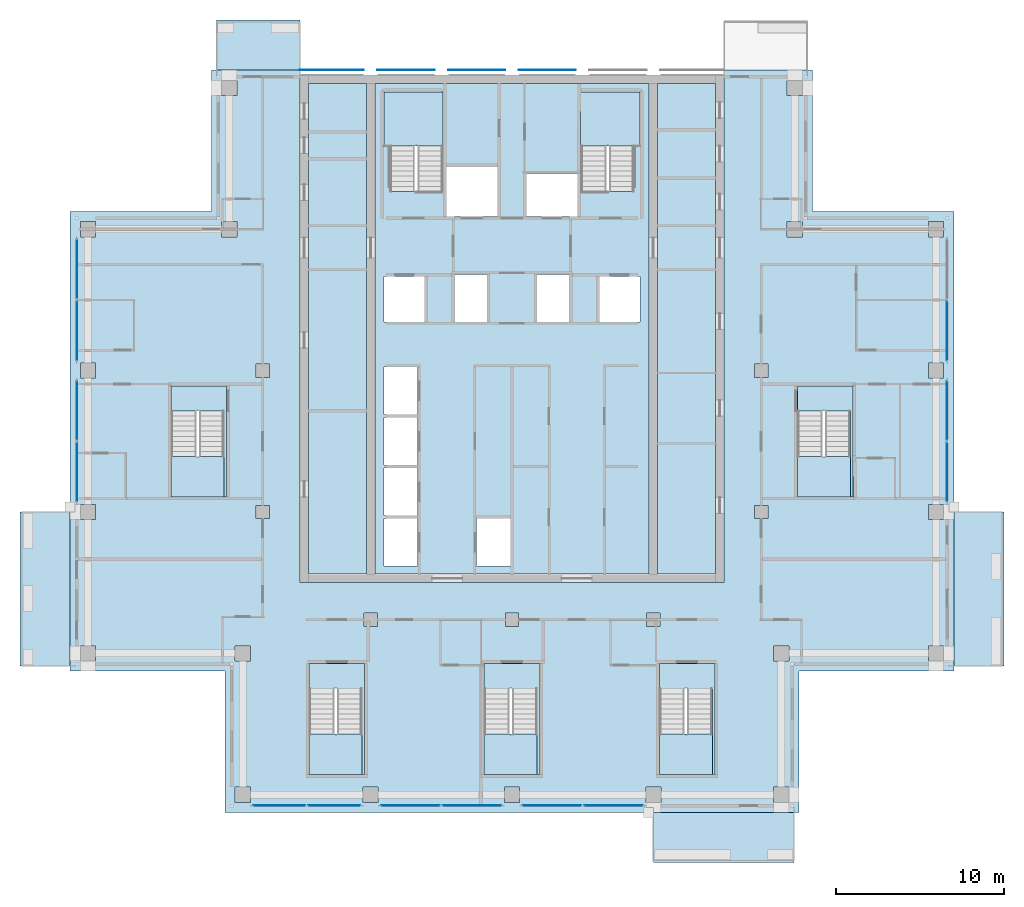
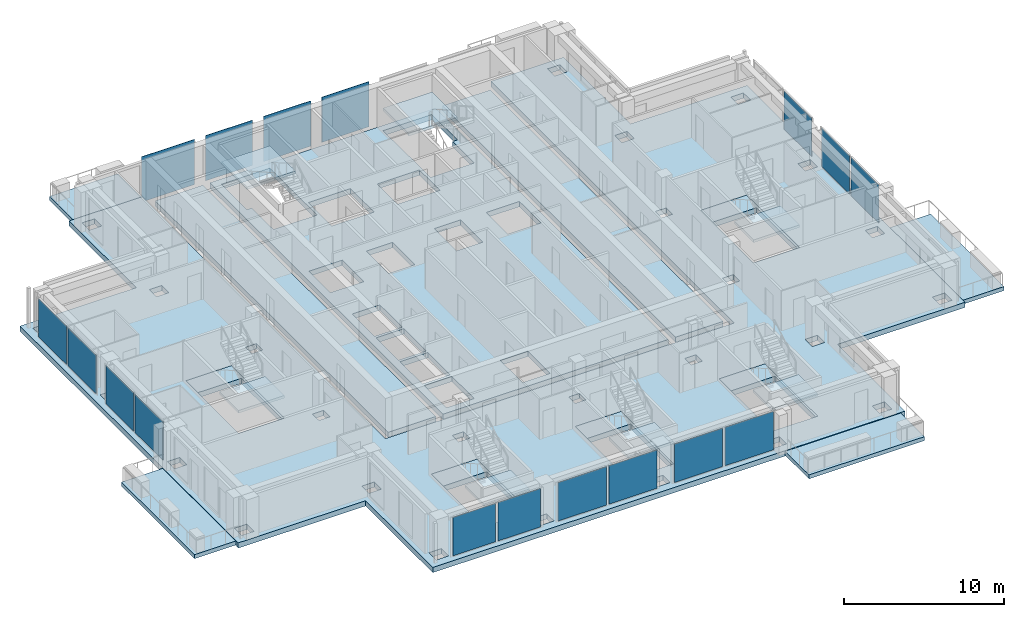
# One storey, part 8 of 19: 20 slabs, 17 plates, 14 elements without a shape of their own.
"""IFC4 building model written with IfcOpenShell, lengths in metres."""

from ifc_helpers import new_model, si_unit, direction, frame, origin, origin_2d, place, context, subcontext, project, spatial, polyline, rectangle, outline, extrude, material, layer, layer_set, type_object, element, aggregate, save


model = new_model("IFC4")

# Units and contexts
model_context = context("Model", 3, precision=1e-05, world=origin(), true_north=direction((0.0, 1.0)))
body_context = subcontext(model_context, "Body", "Model", "MODEL_VIEW")
ifc_project = project(units=[si_unit("LENGTHUNIT", "METRE"), si_unit("AREAUNIT", "SQUARE_METRE"), si_unit("VOLUMEUNIT", "CUBIC_METRE"), si_unit("PLANEANGLEUNIT", "RADIAN"), si_unit("MASSUNIT", "GRAM", prefix="KILO")], contexts=[model_context])

# Site, building, storey
site_placement = place(None, origin())
site = spatial("IfcSite", under=ifc_project, at=site_placement, CompositionType="ELEMENT")
building_placement = place(site_placement, origin())
building = spatial("IfcBuilding", under=site, at=building_placement, Name="Vermilion Ogive Tower", CompositionType="ELEMENT")
storey_placement = place(building_placement, frame((0.0, 0.0, 226.89990234375)))
storey = spatial("IfcBuildingStorey", under=building, at=storey_placement, Name="L59", CompositionType="ELEMENT", Elevation=226.89990234375)

# Slabs
ifc_material_1 = material(Name="Concrete B40", Category="concrete")
ifc_layer_1 = layer(ifc_material_1, 0.300048828125)
ifc_layer_set_1 = layer_set([ifc_layer_1], Name="Balcony slab")
slab_type_1 = type_object("IfcSlabType", Name="Balcony slab", PredefinedType="FLOOR", material=ifc_layer_set_1)
slab_1_placement = place(storey_placement, frame((0.0, 0.0, -0.33984375)))
element("IfcSlab", 1, at=slab_1_placement, inside=storey, type_object=slab_type_1, Name="Balcony slab S04", PredefinedType="FLOOR", context=body_context, shape_type="SweptSolid", body=[
    extrude(outline(polyline([(8.39990234375, -25.030029296875), (16.75, -25.030029296875), (16.75, -22.050048828125), (8.39990234375, -22.050048828125), (8.39990234375, -25.030029296875)])), origin(), (0.0, 0.0, 1.0), 0.300048828125),
])
slab_2_placement = place(storey_placement, frame((0.0, 0.0, -0.33984375)))
element("IfcSlab", 2, at=slab_2_placement, inside=storey, type_object=slab_type_1, Name="Balcony slab E01", PredefinedType="FLOOR", context=body_context, shape_type="SweptSolid", body=[
    extrude(outline(polyline([(29.22998046875, -13.35009765625), (29.22998046875, -4.199951171875), (26.25, -4.199951171875), (26.25, -13.35009765625), (29.22998046875, -13.35009765625)])), origin(), (0.0, 0.0, 1.0), 0.300048828125),
])
slab_3_placement = place(storey_placement, frame((0.0, 0.0, -0.33984375)))
element("IfcSlab", 3, at=slab_3_placement, inside=storey, type_object=slab_type_1, Name="Balcony slab N201", PredefinedType="FLOOR", context=body_context, shape_type="SweptSolid", body=[
    extrude(outline(polyline([(-12.60009765625, 25.030029296875), (-17.550048828125, 25.030029296875), (-17.550048828125, 22.050048828125), (-12.60009765625, 22.050048828125), (-12.60009765625, 25.030029296875)])), origin(), (0.0, 0.0, 1.0), 0.300048828125),
])
slab_4_placement = place(storey_placement, frame((0.0, 0.0, -0.33984375)))
element("IfcSlab", 4, at=slab_4_placement, inside=storey, type_object=slab_type_1, Name="Balcony slab W03", PredefinedType="FLOOR", context=body_context, shape_type="SweptSolid", body=[
    extrude(outline(polyline([(-29.22998046875, -4.199951171875), (-29.22998046875, -13.35009765625), (-26.25, -13.35009765625), (-26.25, -4.199951171875), (-29.22998046875, -4.199951171875)])), origin(), (0.0, 0.0, 1.0), 0.300048828125),
])

# Curtain wall, plates
ifc_material_2 = material(Name="Low-iron laminated glazing in aluminium frame", Category="aluminium")
curtain_wall_type = type_object("IfcCurtainWallType", Name="Curtain wall CW7", PredefinedType="NOTDEFINED", material=ifc_material_2)
curtain_wall_1_placement = place(storey_placement, origin())
curtain_wall_1 = element("IfcCurtainWall", 5, at=curtain_wall_1_placement, inside=storey, type_object=curtain_wall_type, Name="Glazed skin S1", PredefinedType="NOTDEFINED")
ifc_material_3 = material(Name="Low-iron laminated glazing in aluminium frame", Category="aluminium")
ifc_layer_2 = layer(ifc_material_3, 0.031982421875)
ifc_layer_set_2 = layer_set([ifc_layer_2], Name="CW7 glazing panel 32")
plate_type_1 = type_object("IfcPlateType", Name="CW7 glazing panel 32", PredefinedType="CURTAIN_PANEL", material=ifc_layer_set_2)
plate_1_placement = place(storey_placement, frame((-13.830078125, -21.64990234375, 0.06005859375), z_axis=(0.0, 0.0, 1.0), x_axis=(1.0, 0.0, 0.0)))
plate_1 = element("IfcPlate", 6, at=plate_1_placement, type_object=plate_type_1, Name="CW7-S1 panel 1.1", PredefinedType="CURTAIN_PANEL", context=body_context, shape_type="SweptSolid", body=[
    extrude(rectangle(XDim=3.080078125, YDim=0.031982421875, at=origin_2d()), origin(), (0.0, 0.0, 1.0), 2.929931640625),
])
plate_2_placement = place(storey_placement, frame((-10.570068359375, -21.64990234375, 0.06005859375), z_axis=(0.0, 0.0, 1.0), x_axis=(1.0, 0.0, 0.0)))
plate_2 = element("IfcPlate", 7, at=plate_2_placement, type_object=plate_type_1, Name="CW7-S1 panel 2.1", PredefinedType="CURTAIN_PANEL", context=body_context, shape_type="SweptSolid", body=[
    extrude(rectangle(XDim=3.080078125, YDim=0.031982421875, at=origin_2d()), origin(), (0.0, 0.0, 1.0), 2.929931640625),
])
aggregate(curtain_wall_1, [plate_1, plate_2])

curtain_wall_2_placement = place(storey_placement, origin())
curtain_wall_2 = element("IfcCurtainWall", 8, at=curtain_wall_2_placement, inside=storey, type_object=curtain_wall_type, Name="Glazed skin S2", PredefinedType="NOTDEFINED")
plate_3_placement = place(storey_placement, frame((-6.030029296875, -21.64990234375, 0.06005859375), z_axis=(0.0, 0.0, 1.0), x_axis=(1.0, 0.0, 0.0)))
plate_3 = element("IfcPlate", 9, at=plate_3_placement, type_object=plate_type_1, Name="CW7-S2 panel 1.1", PredefinedType="CURTAIN_PANEL", context=body_context, shape_type="SweptSolid", body=[
    extrude(rectangle(XDim=3.47998046875, YDim=0.031982421875, at=origin_2d()), origin(), (0.0, 0.0, 1.0), 2.929931640625),
])
plate_4_placement = place(storey_placement, frame((-2.3701171875, -21.64990234375, 0.06005859375), z_axis=(0.0, 0.0, 1.0), x_axis=(1.0, 0.0, 0.0)))
plate_4 = element("IfcPlate", 10, at=plate_4_placement, type_object=plate_type_1, Name="CW7-S2 panel 2.1", PredefinedType="CURTAIN_PANEL", context=body_context, shape_type="SweptSolid", body=[
    extrude(rectangle(XDim=3.47998046875, YDim=0.031982421875, at=origin_2d()), origin(), (0.0, 0.0, 1.0), 2.929931640625),
])
aggregate(curtain_wall_2, [plate_3, plate_4])

curtain_wall_3_placement = place(storey_placement, origin())
curtain_wall_3 = element("IfcCurtainWall", 11, at=curtain_wall_3_placement, inside=storey, type_object=curtain_wall_type, Name="Glazed skin S3", PredefinedType="NOTDEFINED")
plate_5_placement = place(storey_placement, frame((2.3701171875, -21.64990234375, 0.06005859375), z_axis=(0.0, 0.0, 1.0), x_axis=(1.0, 0.0, 0.0)))
plate_5 = element("IfcPlate", 12, at=plate_5_placement, type_object=plate_type_1, Name="CW7-S3 panel 1.1", PredefinedType="CURTAIN_PANEL", context=body_context, shape_type="SweptSolid", body=[
    extrude(rectangle(XDim=3.47998046875, YDim=0.031982421875, at=origin_2d()), origin(), (0.0, 0.0, 1.0), 2.929931640625),
])
plate_6_placement = place(storey_placement, frame((6.030029296875, -21.64990234375, 0.06005859375), z_axis=(0.0, 0.0, 1.0), x_axis=(1.0, 0.0, 0.0)))
plate_6 = element("IfcPlate", 13, at=plate_6_placement, type_object=plate_type_1, Name="CW7-S3 panel 2.1", PredefinedType="CURTAIN_PANEL", context=body_context, shape_type="SweptSolid", body=[
    extrude(rectangle(XDim=3.47998046875, YDim=0.031982421875, at=origin_2d()), origin(), (0.0, 0.0, 1.0), 2.929931640625),
])
aggregate(curtain_wall_3, [plate_5, plate_6])

curtain_wall_4_placement = place(storey_placement, origin())
curtain_wall_4 = element("IfcCurtainWall", 14, at=curtain_wall_4_placement, inside=storey, type_object=curtain_wall_type, Name="Glazed skin E2", PredefinedType="NOTDEFINED")
plate_7_placement = place(storey_placement, frame((25.85009765625, -1.830078125, 0.06005859375), z_axis=(0.0, 0.0, 1.0), x_axis=(0.0, 1.0, 0.0)))
plate_7 = element("IfcPlate", 15, at=plate_7_placement, type_object=plate_type_1, Name="CW7-E2 panel 1.1", PredefinedType="CURTAIN_PANEL", context=body_context, shape_type="SweptSolid", body=[
    extrude(rectangle(XDim=3.47998046875, YDim=0.031982421875, at=origin_2d()), origin(), (0.0, 0.0, 1.0), 2.929931640625),
])
plate_8_placement = place(storey_placement, frame((25.85009765625, 1.830078125, 0.06005859375), z_axis=(0.0, 0.0, 1.0), x_axis=(0.0, 1.0, 0.0)))
plate_8 = element("IfcPlate", 16, at=plate_8_placement, type_object=plate_type_1, Name="CW7-E2 panel 2.1", PredefinedType="CURTAIN_PANEL", context=body_context, shape_type="SweptSolid", body=[
    extrude(rectangle(XDim=3.47998046875, YDim=0.031982421875, at=origin_2d()), origin(), (0.0, 0.0, 1.0), 2.929931640625),
])
aggregate(curtain_wall_4, [plate_7, plate_8])

# Curtain wall, plate
curtain_wall_5_placement = place(storey_placement, origin())
curtain_wall_5 = element("IfcCurtainWall", 17, at=curtain_wall_5_placement, inside=storey, type_object=curtain_wall_type, Name="Glazed skin E3", PredefinedType="NOTDEFINED")
plate_9_placement = place(storey_placement, frame((25.85009765625, 6.570068359375, 0.06005859375), z_axis=(0.0, 0.0, 1.0), x_axis=(0.0, 1.0, 0.0)))
plate_9 = element("IfcPlate", 18, at=plate_9_placement, type_object=plate_type_1, Name="CW7-E3 panel 1.1", PredefinedType="CURTAIN_PANEL", context=body_context, shape_type="SweptSolid", body=[
    extrude(rectangle(XDim=3.47998046875, YDim=0.031982421875, at=origin_2d()), origin(), (0.0, 0.0, 1.0), 2.929931640625),
])
aggregate(curtain_wall_5, [plate_9])

# Curtain wall, plates
curtain_wall_6_placement = place(storey_placement, origin())
curtain_wall_6 = element("IfcCurtainWall", 19, at=curtain_wall_6_placement, inside=storey, type_object=curtain_wall_type, Name="Glazed skin W1", PredefinedType="NOTDEFINED")
plate_10_placement = place(storey_placement, frame((-25.85009765625, 10.22998046875, 0.06005859375), z_axis=(0.0, 0.0, 1.0), x_axis=(0.0, -1.0, 0.0)))
plate_10 = element("IfcPlate", 20, at=plate_10_placement, type_object=plate_type_1, Name="CW7-W1 panel 1.1", PredefinedType="CURTAIN_PANEL", context=body_context, shape_type="SweptSolid", body=[
    extrude(rectangle(XDim=3.47998046875, YDim=0.031982421875, at=origin_2d()), origin(), (0.0, 0.0, 1.0), 2.929931640625),
])
plate_11_placement = place(storey_placement, frame((-25.85009765625, 6.570068359375, 0.06005859375), z_axis=(0.0, 0.0, 1.0), x_axis=(0.0, -1.0, 0.0)))
plate_11 = element("IfcPlate", 21, at=plate_11_placement, type_object=plate_type_1, Name="CW7-W1 panel 2.1", PredefinedType="CURTAIN_PANEL", context=body_context, shape_type="SweptSolid", body=[
    extrude(rectangle(XDim=3.47998046875, YDim=0.031982421875, at=origin_2d()), origin(), (0.0, 0.0, 1.0), 2.929931640625),
])
aggregate(curtain_wall_6, [plate_10, plate_11])

curtain_wall_7_placement = place(storey_placement, origin())
curtain_wall_7 = element("IfcCurtainWall", 22, at=curtain_wall_7_placement, inside=storey, type_object=curtain_wall_type, Name="Glazed skin W2", PredefinedType="NOTDEFINED")
plate_12_placement = place(storey_placement, frame((-25.85009765625, 1.830078125, 0.06005859375), z_axis=(0.0, 0.0, 1.0), x_axis=(0.0, -1.0, 0.0)))
plate_12 = element("IfcPlate", 23, at=plate_12_placement, type_object=plate_type_1, Name="CW7-W2 panel 1.1", PredefinedType="CURTAIN_PANEL", context=body_context, shape_type="SweptSolid", body=[
    extrude(rectangle(XDim=3.47998046875, YDim=0.031982421875, at=origin_2d()), origin(), (0.0, 0.0, 1.0), 2.929931640625),
])
plate_13_placement = place(storey_placement, frame((-25.85009765625, -1.830078125, 0.06005859375), z_axis=(0.0, 0.0, 1.0), x_axis=(0.0, -1.0, 0.0)))
plate_13 = element("IfcPlate", 24, at=plate_13_placement, type_object=plate_type_1, Name="CW7-W2 panel 2.1", PredefinedType="CURTAIN_PANEL", context=body_context, shape_type="SweptSolid", body=[
    extrude(rectangle(XDim=3.47998046875, YDim=0.031982421875, at=origin_2d()), origin(), (0.0, 0.0, 1.0), 2.929931640625),
])
aggregate(curtain_wall_7, [plate_12, plate_13])

# Slabs
ifc_material_4 = material(Name="Concrete B40", Category="concrete")
ifc_layer_3 = layer(ifc_material_4, 0.39990234375)
ifc_layer_set_3 = layer_set([ifc_layer_3], Name="Core floor slab 400 B40")
slab_type_2 = type_object("IfcSlabType", Name="Core floor slab 400 B40", PredefinedType="FLOOR", material=ifc_layer_set_3)
slab_5_placement = place(storey_placement, frame((0.0, 0.0, -0.39990234375)))
element("IfcSlab", 25, at=slab_5_placement, inside=storey, type_object=slab_type_2, Name="L59-CK-FS1", PredefinedType="FLOOR", context=body_context, shape_type="SweptSolid", body=[
    extrude(outline(polyline([(-8.654052734375, 21.24609375), (-8.654052734375, -7.89599609375), (-12.095947265625, -7.89599609375), (-12.095947265625, 21.24609375), (-8.654052734375, 21.24609375)])), origin(), (0.0, 0.0, 1.0), 0.39990234375),
])
slab_6_placement = place(storey_placement, frame((0.0, 0.0, -0.39990234375)))
element("IfcSlab", 26, at=slab_6_placement, inside=storey, type_object=slab_type_2, Name="L59-CK-FS2", PredefinedType="FLOOR", context=body_context, shape_type="SweptSolid", body=[
    extrude(outline(polyline([(-8.14599609375, -7.89599609375), (8.14599609375, -7.89599609375), (8.14599609375, 21.24609375), (-8.14599609375, 21.24609375), (-8.14599609375, -7.89599609375)]), holes=[polyline([(-7.60009765625, -7.39990234375), (-7.60009765625, -4.60009765625), (-5.60009765625, -4.60009765625), (-5.60009765625, -7.39990234375), (-7.60009765625, -7.39990234375)]), polyline([(-7.60009765625, -4.39990234375), (-7.60009765625, -1.60009765625), (-5.60009765625, -1.60009765625), (-5.60009765625, -4.39990234375), (-7.60009765625, -4.39990234375)]), polyline([(-7.60009765625, -1.39990234375), (-7.60009765625, 1.39990234375), (-5.60009765625, 1.39990234375), (-5.60009765625, -1.39990234375), (-7.60009765625, -1.39990234375)]), polyline([(-7.60009765625, 1.60009765625), (-7.60009765625, 4.39990234375), (-5.60009765625, 4.39990234375), (-5.60009765625, 1.60009765625), (-7.60009765625, 1.60009765625)]), polyline([(-7.60009765625, 7.10009765625), (-7.60009765625, 9.800048828125), (-5.199951171875, 9.800048828125), (-5.199951171875, 7.10009765625), (-7.60009765625, 7.10009765625)]), polyline([(-3.39990234375, 9.89990234375), (-1.5, 9.89990234375), (-1.5, 7.10009765625), (-3.39990234375, 7.10009765625), (-3.39990234375, 9.89990234375)]), polyline([(-7.60009765625, 17.550048828125), (-7.60009765625, 20.75), (-4.10009765625, 20.75), (-4.10009765625, 14.85205078125), (-5.60009765625, 14.85205078125), (-5.60009765625, 14.85009765625), (-5.75, 14.85009765625), (-5.75, 14.85205078125), (-7.25, 14.85205078125), (-7.25, 17.550048828125), (-7.60009765625, 17.550048828125)]), polyline([(-2.10009765625, -7.39990234375), (-2.10009765625, -4.60009765625), (-0.10009765625, -4.60009765625), (-0.10009765625, -7.39990234375), (-2.10009765625, -7.39990234375)]), polyline([(5.199951171875, 7.10009765625), (5.199951171875, 9.800048828125), (7.60009765625, 9.800048828125), (7.60009765625, 7.10009765625), (5.199951171875, 7.10009765625)]), polyline([(1.5, 7.10009765625), (1.5, 9.89990234375), (3.39990234375, 9.89990234375), (3.39990234375, 7.10009765625), (1.5, 7.10009765625)]), polyline([(0.85009765625, 13.35009765625), (0.85009765625, 15.89990234375), (3.89990234375, 15.89990234375), (3.89990234375, 13.35009765625), (0.85009765625, 13.35009765625)]), polyline([(-3.89990234375, 16.300048828125), (-0.85009765625, 16.300048828125), (-0.85009765625, 13.35009765625), (-3.89990234375, 13.35009765625), (-3.89990234375, 16.300048828125)]), polyline([(5.75, 14.85009765625), (5.60009765625, 14.85009765625), (5.60009765625, 14.85205078125), (4.10009765625, 14.85205078125), (4.10009765625, 17.550048828125), (4.074951171875, 17.550048828125), (4.074951171875, 20.75), (7.60009765625, 20.75), (7.60009765625, 17.550048828125), (7.25, 17.550048828125), (7.25, 14.85205078125), (5.75, 14.85205078125), (5.75, 14.85009765625)])]), origin(), (0.0, 0.0, 1.0), 0.39990234375),
])
slab_7_placement = place(storey_placement, frame((0.0, 0.0, -0.39990234375)))
element("IfcSlab", 27, at=slab_7_placement, inside=storey, type_object=slab_type_2, Name="L59-CK-FS3", PredefinedType="FLOOR", context=body_context, shape_type="SweptSolid", body=[
    extrude(outline(polyline([(8.654052734375, 21.24609375), (12.095947265625, 21.24609375), (12.095947265625, -7.89599609375), (8.654052734375, -7.89599609375), (8.654052734375, 21.24609375)])), origin(), (0.0, 0.0, 1.0), 0.39990234375),
])
slab_8_placement = place(storey_placement, frame((0.0, 0.0, -0.39990234375)))
element("IfcSlab", 28, at=slab_8_placement, inside=storey, type_object=slab_type_2, Name="L59-SF-ST3-1", PredefinedType="FLOOR", context=body_context, shape_type="SweptSolid", body=[
    extrude(outline(polyline([(-12.050048828125, -13.199951171875), (-12.050048828125, -14.701904296875), (-10.550048828125, -14.701904296875), (-10.550048828125, -14.699951171875), (-10.39990234375, -14.699951171875), (-10.39990234375, -14.701904296875), (-8.89990234375, -14.701904296875), (-8.89990234375, -19.800048828125), (-8.75, -19.800048828125), (-8.75, -13.199951171875), (-12.050048828125, -13.199951171875)])), origin(), (0.0, 0.0, 1.0), 0.39990234375),
])
slab_9_placement = place(storey_placement, frame((0.0, 0.0, -0.39990234375)))
element("IfcSlab", 29, at=slab_9_placement, inside=storey, type_object=slab_type_2, Name="L59-SF-ST4-1", PredefinedType="FLOOR", context=body_context, shape_type="SweptSolid", body=[
    extrude(outline(polyline([(-1.64990234375, -13.199951171875), (-1.64990234375, -14.701904296875), (-0.14990234375, -14.701904296875), (-0.14990234375, -14.699951171875), (0.0, -14.699951171875), (0.0, -14.701904296875), (1.5, -14.701904296875), (1.5, -19.800048828125), (1.64990234375, -19.800048828125), (1.64990234375, -13.199951171875), (-1.64990234375, -13.199951171875)])), origin(), (0.0, 0.0, 1.0), 0.39990234375),
])
slab_10_placement = place(storey_placement, frame((0.0, 0.0, -0.39990234375)))
element("IfcSlab", 30, at=slab_10_placement, inside=storey, type_object=slab_type_2, Name="L59-SF-ST5-1", PredefinedType="FLOOR", context=body_context, shape_type="SweptSolid", body=[
    extrude(outline(polyline([(8.75, -13.199951171875), (8.75, -14.701904296875), (10.25, -14.701904296875), (10.25, -14.699951171875), (10.39990234375, -14.699951171875), (10.39990234375, -14.701904296875), (11.89990234375, -14.701904296875), (11.89990234375, -19.800048828125), (12.050048828125, -19.800048828125), (12.050048828125, -13.199951171875), (8.75, -13.199951171875)])), origin(), (0.0, 0.0, 1.0), 0.39990234375),
])
slab_11_placement = place(storey_placement, frame((0.0, 0.0, -0.39990234375)))
element("IfcSlab", 31, at=slab_11_placement, inside=storey, type_object=slab_type_2, Name="L59-SF-ST8-1", PredefinedType="FLOOR", context=body_context, shape_type="SweptSolid", body=[
    extrude(outline(polyline([(16.949951171875, 3.300048828125), (16.949951171875, 1.798095703125), (18.449951171875, 1.798095703125), (18.449951171875, 1.800048828125), (18.60009765625, 1.800048828125), (18.60009765625, 1.798095703125), (20.10009765625, 1.798095703125), (20.10009765625, -3.300048828125), (20.25, -3.300048828125), (20.25, 3.300048828125), (16.949951171875, 3.300048828125)])), origin(), (0.0, 0.0, 1.0), 0.39990234375),
])
slab_12_placement = place(storey_placement, frame((0.0, 0.0, -0.39990234375)))
element("IfcSlab", 32, at=slab_12_placement, inside=storey, type_object=slab_type_2, Name="L59-SF-ST9-1", PredefinedType="FLOOR", context=body_context, shape_type="SweptSolid", body=[
    extrude(outline(polyline([(-20.25, 3.300048828125), (-20.25, 1.798095703125), (-18.75, 1.798095703125), (-18.75, 1.800048828125), (-18.60009765625, 1.800048828125), (-18.60009765625, 1.798095703125), (-17.10009765625, 1.798095703125), (-17.10009765625, -3.300048828125), (-16.949951171875, -3.300048828125), (-16.949951171875, 3.300048828125), (-20.25, 3.300048828125)])), origin(), (0.0, 0.0, 1.0), 0.39990234375),
])

# Plates
ifc_material_5 = material(Name="Low-iron laminated glazing in aluminium frame", Category="aluminium")
ifc_layer_4 = layer(ifc_material_5, 0.031982421875)
ifc_layer_set_4 = layer_set([ifc_layer_4], Name="Glazed rainscreen sheet 32")
plate_type_2 = type_object("IfcPlateType", Name="Glazed rainscreen sheet 32", PredefinedType="SHEET", material=ifc_layer_set_4)
plate_14_placement = place(storey_placement, frame((-10.7099609375, 22.06591796875, -0.39990234375), z_axis=(0.0, 0.0, 1.0), x_axis=(1.0, 0.0, 0.0)))
element("IfcPlate", 33, at=plate_14_placement, inside=storey, type_object=plate_type_2, Name="Glazed rainscreen sheet N1", PredefinedType="SHEET", context=body_context, shape_type="SweptSolid", body=[
    extrude(rectangle(XDim=3.820068359375, YDim=0.031982421875, at=origin_2d()), origin(), (0.0, 0.0, 1.0), 3.449951171875),
])
for number, where, z_axis, x_axis, name in (
    (34, (-6.300048828125, 22.06591796875, -0.39990234375), (0.0, 0.0, 1.0), (1.0, 0.0, 0.0), "Glazed rainscreen sheet N2"),
    (35, (-2.10009765625, 22.06591796875, -0.39990234375), (0.0, 0.0, 1.0), (1.0, 0.0, 0.0), "Glazed rainscreen sheet N3"),
    (36, (2.10009765625, 22.06591796875, -0.39990234375), (0.0, 0.0, 1.0), (1.0, 0.0, 0.0), "Glazed rainscreen sheet N4"),
):
    element("IfcPlate", number, at=place(storey_placement, frame(where, z_axis=z_axis, x_axis=x_axis)), inside=storey, type_object=plate_type_2, Name=name, PredefinedType="SHEET", context=body_context, shape_type="SweptSolid", body=[
        extrude(rectangle(XDim=3.39990234375, YDim=0.031982421875, at=origin_2d()), origin(), (0.0, 0.0, 1.0), 3.449951171875),
    ])

# Slab
ifc_material_6 = material(Name="Concrete B45", Category="concrete")
ifc_layer_5 = layer(ifc_material_6, 0.39990234375)
ifc_layer_set_5 = layer_set([ifc_layer_5], Name="Post-tensioned flat plate 400 B45")
slab_type_3 = type_object("IfcSlabType", Name="Post-tensioned flat plate 400 B45", PredefinedType="FLOOR", material=ifc_layer_set_5)
slab_13_placement = place(storey_placement, frame((0.0, 0.0, -0.39990234375)))
element("IfcSlab", 37, at=slab_13_placement, inside=storey, type_object=slab_type_3, Name="L59-SL-1", PredefinedType="FLOOR", context=body_context, shape_type="SweptSolid", body=[
    extrude(outline(polyline([(-26.25, -13.64990234375), (-17.050048828125, -13.64990234375), (-17.050048828125, -22.050048828125), (17.050048828125, -22.050048828125), (17.050048828125, -13.64990234375), (26.25, -13.64990234375), (26.25, 13.64990234375), (17.85009765625, 13.64990234375), (17.85009765625, 22.050048828125), (12.60009765625, 22.050048828125), (12.60009765625, -8.39990234375), (-12.60009765625, -8.39990234375), (-12.60009765625, 22.050048828125), (-17.85009765625, 22.050048828125), (-17.85009765625, 13.64990234375), (-26.25, 13.64990234375), (-26.25, -13.64990234375)]), holes=[polyline([(25.64990234375, -3.75), (25.64990234375, -4.64990234375), (24.75, -4.64990234375), (24.75, -3.75), (25.64990234375, -3.75)]), polyline([(25.64990234375, -12.14990234375), (25.64990234375, -13.050048828125), (24.75, -13.050048828125), (24.75, -12.14990234375), (25.64990234375, -12.14990234375)]), polyline([(25.64990234375, 12.14990234375), (24.75, 12.14990234375), (24.75, 13.050048828125), (25.64990234375, 13.050048828125), (25.64990234375, 12.14990234375)]), polyline([(25.64990234375, 3.75), (24.75, 3.75), (24.75, 4.64990234375), (25.64990234375, 4.64990234375), (25.64990234375, 3.75)]), polyline([(20.25, -3.2998046875), (20.25, -3.300048828125), (16.949951171875, -3.300048828125), (16.949951171875, 3.300048828125), (20.25, 3.300048828125), (20.25, -0.89990234375), (20.275146484375, -0.89990234375), (20.275146484375, -3.2998046875), (20.25, -3.2998046875)]), polyline([(17.25, 13.050048828125), (17.25, 12.14990234375), (16.35009765625, 12.14990234375), (16.35009765625, 13.050048828125), (17.25, 13.050048828125)]), polyline([(17.25, 20.550048828125), (16.35009765625, 20.550048828125), (16.35009765625, 21.449951171875), (17.25, 21.449951171875), (17.25, 20.550048828125)]), polyline([(16.449951171875, -12.14990234375), (16.449951171875, -13.050048828125), (15.550048828125, -13.050048828125), (15.550048828125, -12.14990234375), (16.449951171875, -12.14990234375)]), polyline([(16.449951171875, -20.550048828125), (16.449951171875, -21.449951171875), (15.550048828125, -21.449951171875), (15.550048828125, -20.550048828125), (16.449951171875, -20.550048828125)]), polyline([(15.199951171875, 4.60009765625), (15.199951171875, 3.800048828125), (14.39990234375, 3.800048828125), (14.39990234375, 4.60009765625), (15.199951171875, 4.60009765625)]), polyline([(15.199951171875, -4.60009765625), (14.39990234375, -4.60009765625), (14.39990234375, -3.800048828125), (15.199951171875, -3.800048828125), (15.199951171875, -4.60009765625)]), polyline([(12.050048828125, -13.199951171875), (12.050048828125, -19.800048828125), (8.75, -19.800048828125), (8.75, -13.199951171875), (12.050048828125, -13.199951171875)]), polyline([(8.85009765625, -20.550048828125), (8.85009765625, -21.449951171875), (7.949951171875, -21.449951171875), (7.949951171875, -20.550048828125), (8.85009765625, -20.550048828125)]), polyline([(8.800048828125, -11.0), (8.0, -11.0), (8.0, -10.199951171875), (8.800048828125, -10.199951171875), (8.800048828125, -11.0)]), polyline([(1.64990234375, -13.199951171875), (1.64990234375, -19.800048828125), (-1.64990234375, -19.800048828125), (-1.64990234375, -13.199951171875), (1.64990234375, -13.199951171875)]), polyline([(0.449951171875, -20.550048828125), (0.449951171875, -21.449951171875), (-0.449951171875, -21.449951171875), (-0.449951171875, -20.550048828125), (0.449951171875, -20.550048828125)]), polyline([(0.39990234375, -10.199951171875), (0.39990234375, -11.0), (-0.39990234375, -11.0), (-0.39990234375, -10.199951171875), (0.39990234375, -10.199951171875)]), polyline([(-7.949951171875, -20.550048828125), (-7.949951171875, -21.449951171875), (-8.85009765625, -21.449951171875), (-8.85009765625, -20.550048828125), (-7.949951171875, -20.550048828125)]), polyline([(-8.0, -10.199951171875), (-8.0, -11.0), (-8.800048828125, -11.0), (-8.800048828125, -10.199951171875), (-8.0, -10.199951171875)]), polyline([(-8.75, -13.199951171875), (-8.75, -19.800048828125), (-12.050048828125, -19.800048828125), (-12.050048828125, -13.199951171875), (-8.75, -13.199951171875)]), polyline([(-14.39990234375, 4.60009765625), (-14.39990234375, 3.800048828125), (-15.199951171875, 3.800048828125), (-15.199951171875, 4.60009765625), (-14.39990234375, 4.60009765625)]), polyline([(-14.39990234375, -4.60009765625), (-15.199951171875, -4.60009765625), (-15.199951171875, -3.800048828125), (-14.39990234375, -3.800048828125), (-14.39990234375, -4.60009765625)]), polyline([(-15.550048828125, -12.14990234375), (-15.550048828125, -13.050048828125), (-16.449951171875, -13.050048828125), (-16.449951171875, -12.14990234375), (-15.550048828125, -12.14990234375)]), polyline([(-15.550048828125, -20.550048828125), (-15.550048828125, -21.449951171875), (-16.449951171875, -21.449951171875), (-16.449951171875, -20.550048828125), (-15.550048828125, -20.550048828125)]), polyline([(-16.35009765625, 13.050048828125), (-16.35009765625, 12.14990234375), (-17.25, 12.14990234375), (-17.25, 13.050048828125), (-16.35009765625, 13.050048828125)]), polyline([(-16.35009765625, 20.550048828125), (-17.25, 20.550048828125), (-17.25, 21.449951171875), (-16.35009765625, 21.449951171875), (-16.35009765625, 20.550048828125)]), polyline([(-16.949951171875, 3.300048828125), (-16.949951171875, -3.300048828125), (-20.25, -3.300048828125), (-20.25, 3.300048828125), (-16.949951171875, 3.300048828125)]), polyline([(-24.75, 3.75), (-25.64990234375, 3.75), (-25.64990234375, 4.64990234375), (-24.75, 4.64990234375), (-24.75, 3.75)]), polyline([(-24.75, 13.050048828125), (-24.75, 12.14990234375), (-25.64990234375, 12.14990234375), (-25.64990234375, 13.050048828125), (-24.75, 13.050048828125)]), polyline([(-24.75, -3.75), (-24.75, -4.64990234375), (-25.64990234375, -4.64990234375), (-25.64990234375, -3.75), (-24.75, -3.75)]), polyline([(-24.75, -12.14990234375), (-24.75, -13.050048828125), (-25.64990234375, -13.050048828125), (-25.64990234375, -12.14990234375), (-24.75, -12.14990234375)])]), origin(), (0.0, 0.0, 1.0), 0.39990234375),
])

# Stair, slab
ifc_material_7 = material(Name="Concrete B40", Category="concrete")
stair_type = type_object("IfcStairType", Name="Exit stair 1500", PredefinedType="HALF_TURN_STAIR", material=ifc_material_7)
stair_1_placement = place(storey_placement, origin())
stair_1 = element("IfcStair", 38, at=stair_1_placement, inside=storey, type_object=stair_type, Name="L59 Exit Stair ST1", PredefinedType="HALF_TURN_STAIR")
ifc_material_8 = material(Name="Concrete B40", Category="concrete")
ifc_layer_6 = layer(ifc_material_8, 0.199951171875)
ifc_layer_set_6 = layer_set([ifc_layer_6], Name="Stair landing 200")
slab_type_4 = type_object("IfcSlabType", Name="Stair landing 200", PredefinedType="LANDING", material=ifc_layer_set_6)
slab_14_placement = place(storey_placement, frame((0.0, 0.0, 1.525146484375)))
slab_14 = element("IfcSlab", 39, at=slab_14_placement, type_object=slab_type_4, Name="ST1 landing 1", PredefinedType="LANDING", context=body_context, shape_type="SweptSolid", body=[
    extrude(outline(polyline([(-7.60009765625, 17.550048828125), (-7.25, 17.550048828125), (-7.25, 17.548095703125), (-5.75, 17.548095703125), (-5.75, 17.550048828125), (-5.60009765625, 17.550048828125), (-5.60009765625, 17.548095703125), (-4.10009765625, 17.548095703125), (-4.10009765625, 20.75), (-7.60009765625, 20.75), (-7.60009765625, 17.550048828125)])), origin(), (0.0, 0.0, 1.0), 0.199951171875),
])
aggregate(stair_1, [slab_14])

stair_2_placement = place(storey_placement, origin())
stair_2 = element("IfcStair", 40, at=stair_2_placement, inside=storey, type_object=stair_type, Name="L59 Exit Stair ST2", PredefinedType="HALF_TURN_STAIR")
slab_15_placement = place(storey_placement, frame((0.0, 0.0, 1.525146484375)))
slab_15 = element("IfcSlab", 41, at=slab_15_placement, type_object=slab_type_4, Name="ST2 landing 1", PredefinedType="LANDING", context=body_context, shape_type="SweptSolid", body=[
    extrude(outline(polyline([(5.60009765625, 17.550048828125), (5.75, 17.550048828125), (5.75, 17.548095703125), (7.25, 17.548095703125), (7.25, 17.550048828125), (7.60009765625, 17.550048828125), (7.60009765625, 20.75), (4.074951171875, 20.75), (4.074951171875, 17.550048828125), (4.10009765625, 17.550048828125), (4.10009765625, 17.548095703125), (5.60009765625, 17.548095703125), (5.60009765625, 17.550048828125)])), origin(), (0.0, 0.0, 1.0), 0.199951171875),
])
aggregate(stair_2, [slab_15])

stair_3_placement = place(storey_placement, origin())
stair_3 = element("IfcStair", 42, at=stair_3_placement, inside=storey, type_object=stair_type, Name="L59 Exit Stair ST3", PredefinedType="HALF_TURN_STAIR")
slab_16_placement = place(storey_placement, frame((0.0, 0.0, 1.525146484375)))
slab_16 = element("IfcSlab", 43, at=slab_16_placement, type_object=slab_type_4, Name="ST3 landing 1", PredefinedType="LANDING", context=body_context, shape_type="SweptSolid", body=[
    extrude(outline(polyline([(-8.75, -17.39990234375), (-8.89990234375, -17.39990234375), (-8.89990234375, -17.39794921875), (-10.39990234375, -17.39794921875), (-10.39990234375, -17.39990234375), (-10.550048828125, -17.39990234375), (-10.550048828125, -17.39794921875), (-12.050048828125, -17.39794921875), (-12.050048828125, -19.800048828125), (-8.75, -19.800048828125), (-8.75, -17.39990234375)])), origin(), (0.0, 0.0, 1.0), 0.199951171875),
])
aggregate(stair_3, [slab_16])

stair_4_placement = place(storey_placement, origin())
stair_4 = element("IfcStair", 44, at=stair_4_placement, inside=storey, type_object=stair_type, Name="L59 Exit Stair ST4", PredefinedType="HALF_TURN_STAIR")
slab_17_placement = place(storey_placement, frame((0.0, 0.0, 1.525146484375)))
slab_17 = element("IfcSlab", 45, at=slab_17_placement, type_object=slab_type_4, Name="ST4 landing 1", PredefinedType="LANDING", context=body_context, shape_type="SweptSolid", body=[
    extrude(outline(polyline([(1.64990234375, -17.39990234375), (1.5, -17.39990234375), (1.5, -17.39794921875), (0.0, -17.39794921875), (0.0, -17.39990234375), (-0.14990234375, -17.39990234375), (-0.14990234375, -17.39794921875), (-1.64990234375, -17.39794921875), (-1.64990234375, -19.7998046875), (1.64990234375, -19.7998046875), (1.64990234375, -17.39990234375)])), origin(), (0.0, 0.0, 1.0), 0.199951171875),
])
aggregate(stair_4, [slab_17])

stair_5_placement = place(storey_placement, origin())
stair_5 = element("IfcStair", 46, at=stair_5_placement, inside=storey, type_object=stair_type, Name="L59 Exit Stair ST5", PredefinedType="HALF_TURN_STAIR")
slab_18_placement = place(storey_placement, frame((0.0, 0.0, 1.525146484375)))
slab_18 = element("IfcSlab", 47, at=slab_18_placement, type_object=slab_type_4, Name="ST5 landing 1", PredefinedType="LANDING", context=body_context, shape_type="SweptSolid", body=[
    extrude(outline(polyline([(12.050048828125, -17.39990234375), (11.89990234375, -17.39990234375), (11.89990234375, -17.39794921875), (10.39990234375, -17.39794921875), (10.39990234375, -17.39990234375), (10.25, -17.39990234375), (10.25, -17.39794921875), (8.75, -17.39794921875), (8.75, -19.800048828125), (12.050048828125, -19.800048828125), (12.050048828125, -17.39990234375)])), origin(), (0.0, 0.0, 1.0), 0.199951171875),
])
aggregate(stair_5, [slab_18])

stair_6_placement = place(storey_placement, origin())
stair_6 = element("IfcStair", 48, at=stair_6_placement, inside=storey, type_object=stair_type, Name="L59 Exit Stair ST8", PredefinedType="HALF_TURN_STAIR")
slab_19_placement = place(storey_placement, frame((0.0, 0.0, 1.525146484375)))
slab_19 = element("IfcSlab", 49, at=slab_19_placement, type_object=slab_type_4, Name="ST8 landing 1", PredefinedType="LANDING", context=body_context, shape_type="SweptSolid", body=[
    extrude(outline(polyline([(20.275146484375, -0.89990234375), (20.10009765625, -0.89990234375), (20.10009765625, -0.89794921875), (18.60009765625, -0.89794921875), (18.60009765625, -0.89990234375), (18.449951171875, -0.89990234375), (18.449951171875, -0.89794921875), (16.949951171875, -0.89794921875), (16.949951171875, -0.902099609375), (16.9501953125, -0.902099609375), (16.9501953125, -3.2998046875), (20.275146484375, -3.2998046875), (20.275146484375, -0.89990234375)])), origin(), (0.0, 0.0, 1.0), 0.199951171875),
])
aggregate(stair_6, [slab_19])

stair_7_placement = place(storey_placement, origin())
stair_7 = element("IfcStair", 50, at=stair_7_placement, inside=storey, type_object=stair_type, Name="L59 Exit Stair ST9", PredefinedType="HALF_TURN_STAIR")
slab_20_placement = place(storey_placement, frame((0.0, 0.0, 1.525146484375)))
slab_20 = element("IfcSlab", 51, at=slab_20_placement, type_object=slab_type_4, Name="ST9 landing 1", PredefinedType="LANDING", context=body_context, shape_type="SweptSolid", body=[
    extrude(outline(polyline([(-16.9501953125, -0.89990234375), (-17.10009765625, -0.89990234375), (-17.10009765625, -0.89794921875), (-18.60009765625, -0.89794921875), (-18.60009765625, -0.89990234375), (-18.75, -0.89990234375), (-18.75, -0.89794921875), (-20.25, -0.89794921875), (-20.25, -0.89990234375), (-20.25, -0.89990234375), (-20.25, -3.2998046875), (-16.9501953125, -3.2998046875), (-16.9501953125, -0.89990234375)])), origin(), (0.0, 0.0, 1.0), 0.199951171875),
])
aggregate(stair_7, [slab_20])

save(model, "model.ifc")
